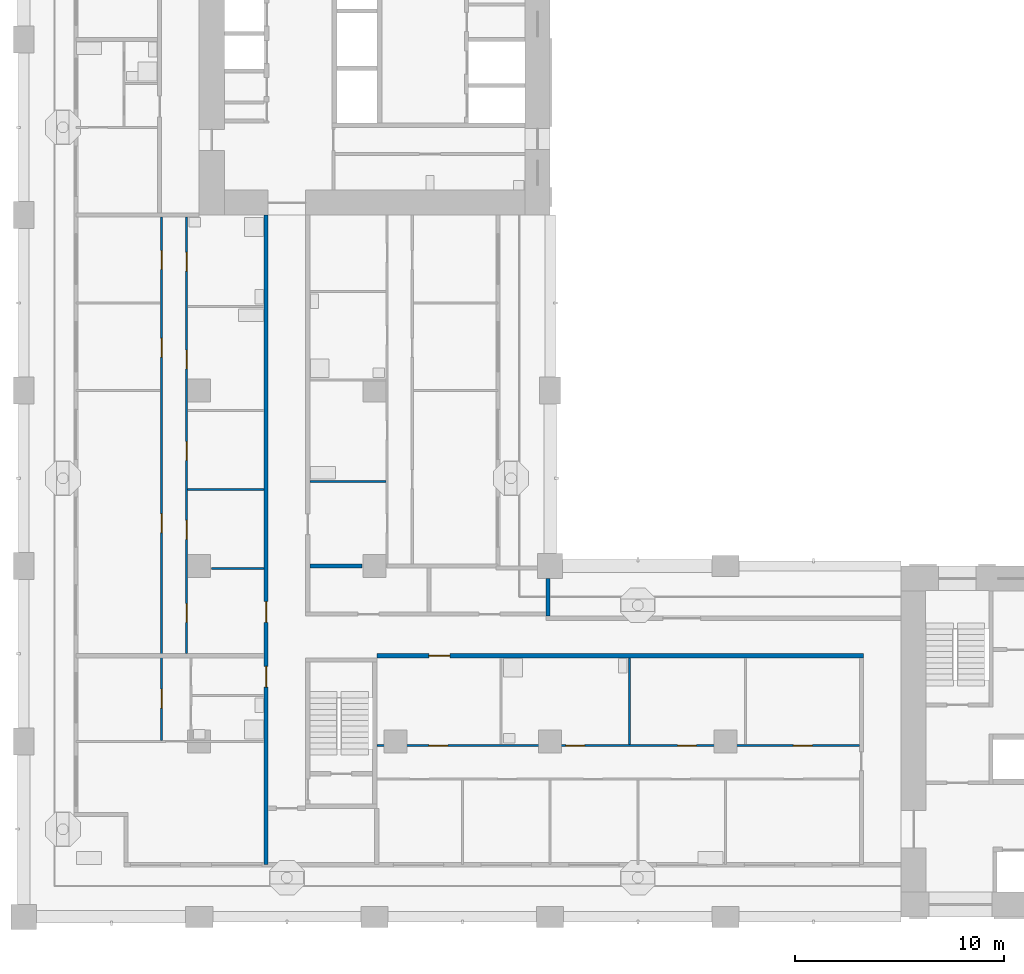
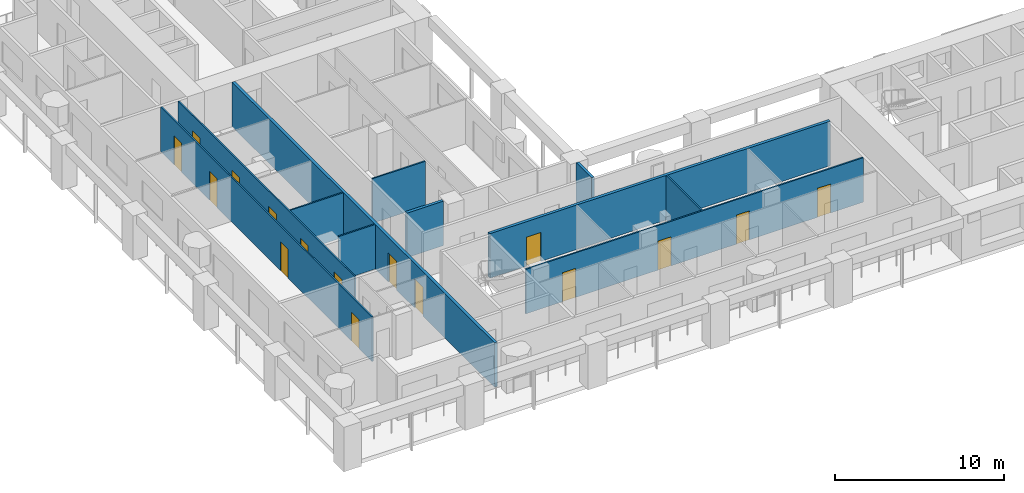
# One storey, part 3 of 18: 16 doors, 11 walls, 16 openings.
"""IFC4 building model written with IfcOpenShell, lengths in metres."""

from ifc_helpers import new_model, si_unit, direction, frame, frame_2d, origin, place, context, subcontext, project, spatial, rectangle, extrude, material, layer, layer_set, type_object, element, fill, save


model = new_model("IFC4")

# Units and contexts
model_context = context("Model", 3, precision=1e-05, world=origin(), true_north=direction((0.0, 1.0)))
body_context = subcontext(model_context, "Body", "Model", "MODEL_VIEW")
ifc_project = project(units=[si_unit("LENGTHUNIT", "METRE"), si_unit("AREAUNIT", "SQUARE_METRE"), si_unit("VOLUMEUNIT", "CUBIC_METRE"), si_unit("PLANEANGLEUNIT", "RADIAN"), si_unit("MASSUNIT", "GRAM", prefix="KILO")], contexts=[model_context])

# Site, building, storey
site_placement = place(None, origin())
site = spatial("IfcSite", under=ifc_project, at=site_placement, CompositionType="ELEMENT")
building_placement = place(site_placement, origin())
building = spatial("IfcBuilding", under=site, at=building_placement, Name="Vermilion Gate Residences", CompositionType="ELEMENT")
storey_placement = place(building_placement, frame((0.0, 0.0, 105.699951171875)))
storey = spatial("IfcBuildingStorey", under=building, at=storey_placement, Name="L26", CompositionType="ELEMENT", Elevation=105.699951171875)

# Wall
ifc_material_1 = material(Name="Insulated steel stud wall with terracotta rainscreen", Category="masonry")
ifc_layer_1 = layer(ifc_material_1, 0.199951171875)
ifc_layer_set_1 = layer_set([ifc_layer_1], Name="EXTERNAL WALL 200 TERRACOTTA RAINSCREEN")
wall_type_1 = type_object("IfcWallType", Name="EXTERNAL WALL 200 TERRACOTTA RAINSCREEN", PredefinedType="SOLIDWALL", material=ifc_layer_set_1)
wall_1_placement = place(storey_placement, frame((25.10009765625, 22.800048828125, 0.0), z_axis=(0.0, 0.0, 1.0), x_axis=(0.0, 1.0, 0.0)))
element("IfcWall", 1, at=wall_1_placement, inside=storey, type_object=wall_type_1, Name="External wall", PredefinedType="SOLIDWALL", context=body_context, shape_type="SweptSolid", body=[
    extrude(rectangle(XDim=1.800048828125, YDim=0.199951171875, at=frame_2d((0.89990234375, 0.0))), origin(), (0.0, 0.0, 1.0), 3.219970703125),
])

# Wall, openings, doors
ifc_material_2 = material(Name="Plasterboard on steel studs", Category="steel")
ifc_layer_2 = layer(ifc_material_2, 0.10009765625)
ifc_layer_set_2 = layer_set([ifc_layer_2], Name="PARTITION 100")
wall_type_2 = type_object("IfcWallType", Name="PARTITION 100", PredefinedType="PARTITIONING", material=ifc_layer_set_2)
wall_2_placement = place(storey_placement, frame((16.89990234375, 16.60009765625, 0.0), z_axis=(0.0, 0.0, 1.0), x_axis=(1.0, 0.0, 0.0)))
wall_2 = element("IfcWall", 2, at=wall_2_placement, inside=storey, type_object=wall_type_2, Name="Partition", PredefinedType="PARTITIONING", context=body_context, shape_type="SweptSolid", body=[
    extrude(rectangle(XDim=23.10009765625, YDim=0.10009765625, at=frame_2d((11.550048828125, 0.0))), origin(), (0.0, 0.0, 1.0), 3.219970703125),
])
opening_1_placement = place(wall_2_placement, frame((2.5, 0.0, 0.0)))
opening_1 = element("IfcOpeningElement", 3, at=opening_1_placement, cuts=wall_2, Name="Opening DA25007", PredefinedType="OPENING", context=body_context, shape_type="SweptSolid", body=[
    extrude(rectangle(XDim=0.89990234375, YDim=2.10009765625, at=frame_2d((0.449951171875, 1.050048828125))), frame((0.0, 0.06005859375, 0.0), z_axis=(0.0, -1.0, 0.0), x_axis=(1.0, 0.0, 0.0)), (0.0, 0.0, 1.0), 0.1201171875),
])
opening_2_placement = place(wall_2_placement, frame((9.050048828125, 0.0, 0.0)))
opening_2 = element("IfcOpeningElement", 4, at=opening_2_placement, cuts=wall_2, Name="Opening DA25008", PredefinedType="OPENING", context=body_context, shape_type="SweptSolid", body=[
    extrude(rectangle(XDim=0.89990234375, YDim=2.10009765625, at=frame_2d((0.449951171875, 1.050048828125))), frame((0.0, 0.06005859375, 0.0), z_axis=(0.0, -1.0, 0.0), x_axis=(1.0, 0.0, 0.0)), (0.0, 0.0, 1.0), 0.1201171875),
])
opening_3_placement = place(wall_2_placement, frame((14.39990234375, 0.0, 0.0)))
opening_3 = element("IfcOpeningElement", 5, at=opening_3_placement, cuts=wall_2, Name="Opening DA25009", PredefinedType="OPENING", context=body_context, shape_type="SweptSolid", body=[
    extrude(rectangle(XDim=0.89990234375, YDim=2.10009765625, at=frame_2d((0.449951171875, 1.050048828125))), frame((0.0, 0.06005859375, 0.0), z_axis=(0.0, -1.0, 0.0), x_axis=(1.0, 0.0, 0.0)), (0.0, 0.0, 1.0), 0.1201171875),
])
opening_4_placement = place(wall_2_placement, frame((19.949951171875, 0.0, 0.0)))
opening_4 = element("IfcOpeningElement", 6, at=opening_4_placement, cuts=wall_2, Name="Opening DA25010", PredefinedType="OPENING", context=body_context, shape_type="SweptSolid", body=[
    extrude(rectangle(XDim=0.89990234375, YDim=2.10009765625, at=frame_2d((0.449951171875, 1.050048828125))), frame((0.0, 0.06005859375, 0.0), z_axis=(0.0, -1.0, 0.0), x_axis=(1.0, 0.0, 0.0)), (0.0, 0.0, 1.0), 0.1201171875),
])
ifc_material_3 = material(Name="Timber", Category="wood")
door_type_1 = type_object("IfcDoorType", Name="INTERIOR DOOR 900 X 2100", OperationType="SINGLE_SWING_LEFT", PredefinedType="DOOR", material=ifc_material_3)
door_1_placement = place(opening_1_placement, origin())
door_1 = element("IfcDoor", 7, at=door_1_placement, inside=storey, type_object=door_type_1, Name="Interior door", OperationType="SINGLE_SWING_LEFT", OverallHeight=2.10009765625, OverallWidth=0.89990234375, PredefinedType="DOOR", context=body_context, shape_type="SweptSolid", body=[
    extrude(rectangle(XDim=0.89990234375, YDim=2.10009765625, at=frame_2d((0.449951171875, 1.050048828125))), frame((0.0, 0.02490234375, 0.0), z_axis=(0.0, -1.0, 0.0), x_axis=(1.0, 0.0, 0.0)), (0.0, 0.0, 1.0), 0.050048828125),
])
fill(opening_1, door_1)
door_2_placement = place(opening_2_placement, origin())
door_2 = element("IfcDoor", 8, at=door_2_placement, inside=storey, type_object=door_type_1, Name="Interior door", OperationType="SINGLE_SWING_LEFT", OverallHeight=2.10009765625, OverallWidth=0.89990234375, PredefinedType="DOOR", context=body_context, shape_type="SweptSolid", body=[
    extrude(rectangle(XDim=0.89990234375, YDim=2.10009765625, at=frame_2d((0.449951171875, 1.050048828125))), frame((0.0, 0.02490234375, 0.0), z_axis=(0.0, -1.0, 0.0), x_axis=(1.0, 0.0, 0.0)), (0.0, 0.0, 1.0), 0.050048828125),
])
fill(opening_2, door_2)
door_3_placement = place(opening_3_placement, origin())
door_3 = element("IfcDoor", 9, at=door_3_placement, inside=storey, type_object=door_type_1, Name="Interior door", OperationType="SINGLE_SWING_RIGHT", OverallHeight=2.10009765625, OverallWidth=0.89990234375, PredefinedType="DOOR", context=body_context, shape_type="SweptSolid", body=[
    extrude(rectangle(XDim=0.89990234375, YDim=2.10009765625, at=frame_2d((0.449951171875, 1.050048828125))), frame((0.0, 0.02490234375, 0.0), z_axis=(0.0, -1.0, 0.0), x_axis=(1.0, 0.0, 0.0)), (0.0, 0.0, 1.0), 0.050048828125),
])
fill(opening_3, door_3)
door_4_placement = place(opening_4_placement, origin())
door_4 = element("IfcDoor", 10, at=door_4_placement, inside=storey, type_object=door_type_1, Name="Interior door", OperationType="SINGLE_SWING_LEFT", OverallHeight=2.10009765625, OverallWidth=0.89990234375, PredefinedType="DOOR", context=body_context, shape_type="SweptSolid", body=[
    extrude(rectangle(XDim=0.89990234375, YDim=2.10009765625, at=frame_2d((0.449951171875, 1.050048828125))), frame((0.0, 0.02490234375, 0.0), z_axis=(0.0, -1.0, 0.0), x_axis=(1.0, 0.0, 0.0)), (0.0, 0.0, 1.0), 0.050048828125),
])
fill(opening_4, door_4)

# Walls
wall_3_placement = place(storey_placement, frame((9.0, 25.080078125, 0.0), z_axis=(0.0, 0.0, 1.0), x_axis=(1.0, 0.0, 0.0)))
element("IfcWall", 11, at=wall_3_placement, inside=storey, type_object=wall_type_2, Name="Partition", PredefinedType="PARTITIONING", context=body_context, shape_type="SweptSolid", body=[
    extrude(rectangle(XDim=2.5, YDim=0.10009765625, at=frame_2d((1.25, 0.0))), origin(), (0.0, 0.0, 1.0), 3.219970703125),
])
wall_4_placement = place(storey_placement, frame((7.85009765625, 28.860107421875, 0.0), z_axis=(0.0, 0.0, 1.0), x_axis=(1.0, 0.0, 0.0)))
element("IfcWall", 12, at=wall_4_placement, inside=storey, type_object=wall_type_2, Name="Partition", PredefinedType="PARTITIONING", context=body_context, shape_type="SweptSolid", body=[
    extrude(rectangle(XDim=3.64990234375, YDim=0.10009765625, at=frame_2d((1.824951171875, 0.0))), origin(), (0.0, 0.0, 1.0), 3.219970703125),
])
wall_5_placement = place(storey_placement, frame((13.699951171875, 29.25, 0.0), z_axis=(0.0, 0.0, 1.0), x_axis=(1.0, 0.0, 0.0)))
element("IfcWall", 13, at=wall_5_placement, inside=storey, type_object=wall_type_2, Name="Partition", PredefinedType="PARTITIONING", context=body_context, shape_type="SweptSolid", body=[
    extrude(rectangle(XDim=3.650146484375, YDim=0.10009765625, at=frame_2d((1.8251953125, 0.0))), origin(), (0.0, 0.0, 1.0), 3.219970703125),
])

# Wall, openings, doors
wall_6_placement = place(storey_placement, frame((6.60009765625, 16.85009765625, 0.0), z_axis=(0.0, 0.0, 1.0), x_axis=(0.0, 1.0, 0.0)))
wall_6 = element("IfcWall", 14, at=wall_6_placement, inside=storey, type_object=wall_type_2, Name="Partition", PredefinedType="PARTITIONING", context=body_context, shape_type="SweptSolid", body=[
    extrude(rectangle(XDim=25.0498046875, YDim=0.10009765625, at=frame_2d((12.52490234375, 0.0))), origin(), (0.0, 0.0, 1.0), 3.219970703125),
])
opening_5_placement = place(wall_6_placement, frame((1.550048828125, 0.0, 0.0)))
opening_5 = element("IfcOpeningElement", 15, at=opening_5_placement, cuts=wall_6, Name="Opening DA25020", PredefinedType="OPENING", context=body_context, shape_type="SweptSolid", body=[
    extrude(rectangle(XDim=0.89990234375, YDim=2.10009765625, at=frame_2d((0.449951171875, 1.050048828125))), frame((0.0, 0.06005859375, 0.0), z_axis=(0.0, -1.0, 0.0), x_axis=(1.0, 0.0, 0.0)), (0.0, 0.0, 1.0), 0.1201171875),
])
opening_6_placement = place(wall_6_placement, frame((9.949951171875, 0.0, 0.0)))
opening_6 = element("IfcOpeningElement", 16, at=opening_6_placement, cuts=wall_6, Name="Opening DA25021", PredefinedType="OPENING", context=body_context, shape_type="SweptSolid", body=[
    extrude(rectangle(XDim=0.89990234375, YDim=2.10009765625, at=frame_2d((0.449951171875, 1.050048828125))), frame((0.0, 0.06005859375, 0.0), z_axis=(0.0, -1.0, 0.0), x_axis=(1.0, 0.0, 0.0)), (0.0, 0.0, 1.0), 0.1201171875),
])
opening_7_placement = place(wall_6_placement, frame((18.35009765625, 0.0, 0.0)))
opening_7 = element("IfcOpeningElement", 17, at=opening_7_placement, cuts=wall_6, Name="Opening DA25022", PredefinedType="OPENING", context=body_context, shape_type="SweptSolid", body=[
    extrude(rectangle(XDim=0.89990234375, YDim=2.10009765625, at=frame_2d((0.449951171875, 1.050048828125))), frame((0.0, 0.06005859375, 0.0), z_axis=(0.0, -1.0, 0.0), x_axis=(1.0, 0.0, 0.0)), (0.0, 0.0, 1.0), 0.1201171875),
])
opening_8_placement = place(wall_6_placement, frame((22.550048828125, 0.0, 0.0)))
opening_8 = element("IfcOpeningElement", 18, at=opening_8_placement, cuts=wall_6, Name="Opening DA25023", PredefinedType="OPENING", context=body_context, shape_type="SweptSolid", body=[
    extrude(rectangle(XDim=0.89990234375, YDim=2.10009765625, at=frame_2d((0.449951171875, 1.050048828125))), frame((0.0, 0.06005859375, 0.0), z_axis=(0.0, -1.0, 0.0), x_axis=(1.0, 0.0, 0.0)), (0.0, 0.0, 1.0), 0.1201171875),
])
door_5_placement = place(opening_5_placement, origin())
door_5 = element("IfcDoor", 19, at=door_5_placement, inside=storey, type_object=door_type_1, Name="Interior door", OperationType="SINGLE_SWING_RIGHT", OverallHeight=2.10009765625, OverallWidth=0.89990234375, PredefinedType="DOOR", context=body_context, shape_type="SweptSolid", body=[
    extrude(rectangle(XDim=0.89990234375, YDim=2.10009765625, at=frame_2d((0.449951171875, 1.050048828125))), frame((0.0, 0.02490234375, 0.0), z_axis=(0.0, -1.0, 0.0), x_axis=(1.0, 0.0, 0.0)), (0.0, 0.0, 1.0), 0.050048828125),
])
fill(opening_5, door_5)
door_6_placement = place(opening_6_placement, origin())
door_6 = element("IfcDoor", 20, at=door_6_placement, inside=storey, type_object=door_type_1, Name="Interior door", OperationType="SINGLE_SWING_LEFT", OverallHeight=2.10009765625, OverallWidth=0.89990234375, PredefinedType="DOOR", context=body_context, shape_type="SweptSolid", body=[
    extrude(rectangle(XDim=0.89990234375, YDim=2.10009765625, at=frame_2d((0.449951171875, 1.050048828125))), frame((0.0, 0.02490234375, 0.0), z_axis=(0.0, -1.0, 0.0), x_axis=(1.0, 0.0, 0.0)), (0.0, 0.0, 1.0), 0.050048828125),
])
fill(opening_6, door_6)
door_7_placement = place(opening_7_placement, origin())
door_7 = element("IfcDoor", 21, at=door_7_placement, inside=storey, type_object=door_type_1, Name="Interior door", OperationType="SINGLE_SWING_LEFT", OverallHeight=2.10009765625, OverallWidth=0.89990234375, PredefinedType="DOOR", context=body_context, shape_type="SweptSolid", body=[
    extrude(rectangle(XDim=0.89990234375, YDim=2.10009765625, at=frame_2d((0.449951171875, 1.050048828125))), frame((0.0, 0.02490234375, 0.0), z_axis=(0.0, -1.0, 0.0), x_axis=(1.0, 0.0, 0.0)), (0.0, 0.0, 1.0), 0.050048828125),
])
fill(opening_7, door_7)
door_8_placement = place(opening_8_placement, origin())
door_8 = element("IfcDoor", 22, at=door_8_placement, inside=storey, type_object=door_type_1, Name="Interior door", OperationType="SINGLE_SWING_LEFT", OverallHeight=2.10009765625, OverallWidth=0.89990234375, PredefinedType="DOOR", context=body_context, shape_type="SweptSolid", body=[
    extrude(rectangle(XDim=0.89990234375, YDim=2.10009765625, at=frame_2d((0.449951171875, 1.050048828125))), frame((0.0, 0.02490234375, 0.0), z_axis=(0.0, -1.0, 0.0), x_axis=(1.0, 0.0, 0.0)), (0.0, 0.0, 1.0), 0.050048828125),
])
fill(opening_8, door_8)

wall_7_placement = place(storey_placement, frame((7.800048828125, 21.0, 0.0), z_axis=(0.0, 0.0, 1.0), x_axis=(0.0, 1.0, 0.0)))
wall_7 = element("IfcWall", 23, at=wall_7_placement, inside=storey, type_object=wall_type_2, Name="Partition", PredefinedType="PARTITIONING", context=body_context, shape_type="SweptSolid", body=[
    extrude(rectangle(XDim=20.89990234375, YDim=0.10009765625, at=frame_2d((10.449951171875, 0.0))), origin(), (0.0, 0.0, 1.0), 3.219970703125),
])
opening_9_placement = place(wall_7_placement, frame((1.5, 0.0, 0.0)))
opening_9 = element("IfcOpeningElement", 24, at=opening_9_placement, cuts=wall_7, Name="Opening DA25024", PredefinedType="OPENING", context=body_context, shape_type="SweptSolid", body=[
    extrude(rectangle(XDim=0.89990234375, YDim=2.10009765625, at=frame_2d((0.449951171875, 1.050048828125))), frame((0.0, 0.06005859375, 0.0), z_axis=(0.0, -1.0, 0.0), x_axis=(1.0, 0.0, 0.0)), (0.0, 0.0, 1.0), 0.1201171875),
])
opening_10_placement = place(wall_7_placement, frame((5.47998046875, 0.0, 0.0)))
opening_10 = element("IfcOpeningElement", 25, at=opening_10_placement, cuts=wall_7, Name="Opening DA25025", PredefinedType="OPENING", context=body_context, shape_type="SweptSolid", body=[
    extrude(rectangle(XDim=0.89990234375, YDim=2.10009765625, at=frame_2d((0.449951171875, 1.050048828125))), frame((0.0, 0.06005859375, 0.0), z_axis=(0.0, -1.0, 0.0), x_axis=(1.0, 0.0, 0.0)), (0.0, 0.0, 1.0), 0.1201171875),
])
opening_11_placement = place(wall_7_placement, frame((9.260009765625, 0.0, 0.0)))
opening_11 = element("IfcOpeningElement", 26, at=opening_11_placement, cuts=wall_7, Name="Opening DA25026", PredefinedType="OPENING", context=body_context, shape_type="SweptSolid", body=[
    extrude(rectangle(XDim=0.89990234375, YDim=2.10009765625, at=frame_2d((0.449951171875, 1.050048828125))), frame((0.0, 0.06005859375, 0.0), z_axis=(0.0, -1.0, 0.0), x_axis=(1.0, 0.0, 0.0)), (0.0, 0.0, 1.0), 0.1201171875),
])
opening_12_placement = place(wall_7_placement, frame((13.639892578125, 0.0, 0.0)))
opening_12 = element("IfcOpeningElement", 27, at=opening_12_placement, cuts=wall_7, Name="Opening DA25027", PredefinedType="OPENING", context=body_context, shape_type="SweptSolid", body=[
    extrude(rectangle(XDim=0.89990234375, YDim=2.10009765625, at=frame_2d((0.449951171875, 1.050048828125))), frame((0.0, 0.06005859375, 0.0), z_axis=(0.0, -1.0, 0.0), x_axis=(1.0, 0.0, 0.0)), (0.0, 0.0, 1.0), 0.1201171875),
])
opening_13_placement = place(wall_7_placement, frame((18.320068359375, 0.0, 0.0)))
opening_13 = element("IfcOpeningElement", 28, at=opening_13_placement, cuts=wall_7, Name="Opening DA25028", PredefinedType="OPENING", context=body_context, shape_type="SweptSolid", body=[
    extrude(rectangle(XDim=0.89990234375, YDim=2.10009765625, at=frame_2d((0.449951171875, 1.050048828125))), frame((0.0, 0.06005859375, 0.0), z_axis=(0.0, -1.0, 0.0), x_axis=(1.0, 0.0, 0.0)), (0.0, 0.0, 1.0), 0.1201171875),
])
door_9_placement = place(opening_9_placement, frame((0.89990234375, 0.0, 0.0), z_axis=(0.0, 0.0, 1.0), x_axis=(-1.0, 0.0, 0.0)))
door_9 = element("IfcDoor", 29, at=door_9_placement, inside=storey, type_object=door_type_1, Name="Interior door", OperationType="SINGLE_SWING_LEFT", OverallHeight=2.10009765625, OverallWidth=0.89990234375, PredefinedType="DOOR", context=body_context, shape_type="SweptSolid", body=[
    extrude(rectangle(XDim=0.89990234375, YDim=2.10009765625, at=frame_2d((0.449951171875, 1.050048828125))), frame((0.0, 0.02490234375, 0.0), z_axis=(0.0, -1.0, 0.0), x_axis=(1.0, 0.0, 0.0)), (0.0, 0.0, 1.0), 0.050048828125),
])
fill(opening_9, door_9)
door_10_placement = place(opening_10_placement, frame((0.89990234375, 0.0, 0.0), z_axis=(0.0, 0.0, 1.0), x_axis=(-1.0, 0.0, 0.0)))
door_10 = element("IfcDoor", 30, at=door_10_placement, inside=storey, type_object=door_type_1, Name="Interior door", OperationType="SINGLE_SWING_RIGHT", OverallHeight=2.10009765625, OverallWidth=0.89990234375, PredefinedType="DOOR", context=body_context, shape_type="SweptSolid", body=[
    extrude(rectangle(XDim=0.89990234375, YDim=2.10009765625, at=frame_2d((0.449951171875, 1.050048828125))), frame((0.0, 0.02490234375, 0.0), z_axis=(0.0, -1.0, 0.0), x_axis=(1.0, 0.0, 0.0)), (0.0, 0.0, 1.0), 0.050048828125),
])
fill(opening_10, door_10)
door_11_placement = place(opening_11_placement, frame((0.89990234375, 0.0, 0.0), z_axis=(0.0, 0.0, 1.0), x_axis=(-1.0, 0.0, 0.0)))
door_11 = element("IfcDoor", 31, at=door_11_placement, inside=storey, type_object=door_type_1, Name="Interior door", OperationType="SINGLE_SWING_RIGHT", OverallHeight=2.10009765625, OverallWidth=0.89990234375, PredefinedType="DOOR", context=body_context, shape_type="SweptSolid", body=[
    extrude(rectangle(XDim=0.89990234375, YDim=2.10009765625, at=frame_2d((0.449951171875, 1.050048828125))), frame((0.0, 0.02490234375, 0.0), z_axis=(0.0, -1.0, 0.0), x_axis=(1.0, 0.0, 0.0)), (0.0, 0.0, 1.0), 0.050048828125),
])
fill(opening_11, door_11)
door_12_placement = place(opening_12_placement, frame((0.89990234375, 0.0, 0.0), z_axis=(0.0, 0.0, 1.0), x_axis=(-1.0, 0.0, 0.0)))
door_12 = element("IfcDoor", 32, at=door_12_placement, inside=storey, type_object=door_type_1, Name="Interior door", OperationType="SINGLE_SWING_RIGHT", OverallHeight=2.10009765625, OverallWidth=0.89990234375, PredefinedType="DOOR", context=body_context, shape_type="SweptSolid", body=[
    extrude(rectangle(XDim=0.89990234375, YDim=2.10009765625, at=frame_2d((0.449951171875, 1.050048828125))), frame((0.0, 0.02490234375, 0.0), z_axis=(0.0, -1.0, 0.0), x_axis=(1.0, 0.0, 0.0)), (0.0, 0.0, 1.0), 0.050048828125),
])
fill(opening_12, door_12)
door_13_placement = place(opening_13_placement, frame((0.89990234375, 0.0, 0.0), z_axis=(0.0, 0.0, 1.0), x_axis=(-1.0, 0.0, 0.0)))
door_13 = element("IfcDoor", 33, at=door_13_placement, inside=storey, type_object=door_type_1, Name="Interior door", OperationType="SINGLE_SWING_LEFT", OverallHeight=2.10009765625, OverallWidth=0.89990234375, PredefinedType="DOOR", context=body_context, shape_type="SweptSolid", body=[
    extrude(rectangle(XDim=0.89990234375, YDim=2.10009765625, at=frame_2d((0.449951171875, 1.050048828125))), frame((0.0, 0.02490234375, 0.0), z_axis=(0.0, -1.0, 0.0), x_axis=(1.0, 0.0, 0.0)), (0.0, 0.0, 1.0), 0.050048828125),
])
fill(opening_13, door_13)

# Wall
wall_8_placement = place(storey_placement, frame((29.0, 16.64990234375, 0.0), z_axis=(0.0, 0.0, 1.0), x_axis=(0.0, 1.0, 0.0)))
element("IfcWall", 34, at=wall_8_placement, inside=storey, type_object=wall_type_2, Name="Partition", PredefinedType="PARTITIONING", context=body_context, shape_type="SweptSolid", body=[
    extrude(rectangle(XDim=4.150146484375, YDim=0.10009765625, at=frame_2d((2.0751953125, 0.0))), origin(), (0.0, 0.0, 1.0), 3.219970703125),
])

# Wall, opening, door
ifc_material_4 = material(Name="Fire-rated plasterboard on steel studs", Category="steel")
ifc_layer_3 = layer(ifc_material_4, 0.199951171875)
ifc_layer_set_3 = layer_set([ifc_layer_3], Name="PARTY WALL 200 EI 120")
wall_type_3 = type_object("IfcWallType", Name="PARTY WALL 200 EI 120", PredefinedType="PARTITIONING", material=ifc_layer_set_3)
wall_9_placement = place(storey_placement, frame((16.89990234375, 20.89990234375, 0.0), z_axis=(0.0, 0.0, 1.0), x_axis=(1.0, 0.0, 0.0)))
wall_9 = element("IfcWall", 35, at=wall_9_placement, inside=storey, type_object=wall_type_3, Name="Party and corridor wall", PredefinedType="PARTITIONING", context=body_context, shape_type="SweptSolid", body=[
    extrude(rectangle(XDim=23.300048828125, YDim=0.199951171875, at=frame_2d((11.64990234375, 0.0))), origin(), (0.0, 0.0, 1.0), 3.219970703125),
])
opening_14_placement = place(wall_9_placement, frame((2.5, 0.0, 0.0)))
opening_14 = element("IfcOpeningElement", 36, at=opening_14_placement, cuts=wall_9, Name="Opening DA25012", PredefinedType="OPENING", context=body_context, shape_type="SweptSolid", body=[
    extrude(rectangle(XDim=1.0, YDim=2.10009765625, at=frame_2d((0.5, 1.050048828125))), frame((0.0, 0.10986328125, 0.0), z_axis=(0.0, -1.0, 0.0), x_axis=(1.0, 0.0, 0.0)), (0.0, 0.0, 1.0), 0.219970703125),
])
ifc_material_5 = material(Name="Steel", Category="steel")
door_type_2 = type_object("IfcDoorType", Name="ENTRANCE DOOR 1000 X 2100 FD30", OperationType="SINGLE_SWING_LEFT", PredefinedType="DOOR", material=ifc_material_5)
door_14_placement = place(opening_14_placement, frame((1.0, 0.0, 0.0), z_axis=(0.0, 0.0, 1.0), x_axis=(-1.0, 0.0, 0.0)))
door_14 = element("IfcDoor", 37, at=door_14_placement, inside=storey, type_object=door_type_2, Name="Entrance door", OperationType="SINGLE_SWING_LEFT", OverallHeight=2.10009765625, OverallWidth=1.0, PredefinedType="DOOR", context=body_context, shape_type="SweptSolid", body=[
    extrude(rectangle(XDim=1.0, YDim=2.10009765625, at=frame_2d((0.5, 1.050048828125))), frame((0.0, 0.02490234375, 0.0), z_axis=(0.0, -1.0, 0.0), x_axis=(1.0, 0.0, 0.0)), (0.0, 0.0, 1.0), 0.050048828125),
])
fill(opening_14, door_14)

# Wall
wall_10_placement = place(storey_placement, frame((13.699951171875, 25.199951171875, 0.0), z_axis=(0.0, 0.0, 1.0), x_axis=(1.0, 0.0, 0.0)))
element("IfcWall", 38, at=wall_10_placement, inside=storey, type_object=wall_type_3, Name="Party and corridor wall", PredefinedType="PARTITIONING", context=body_context, shape_type="SweptSolid", body=[
    extrude(rectangle(XDim=2.5, YDim=0.199951171875, at=frame_2d((1.25, 0.0))), origin(), (0.0, 0.0, 1.0), 3.219970703125),
])

# Wall, openings, doors
wall_11_placement = place(storey_placement, frame((11.60009765625, 10.89990234375, 0.0), z_axis=(0.0, 0.0, 1.0), x_axis=(0.0, 1.0, 0.0)))
wall_11 = element("IfcWall", 39, at=wall_11_placement, inside=storey, type_object=wall_type_3, Name="Party and corridor wall", PredefinedType="PARTITIONING", context=body_context, shape_type="SweptSolid", body=[
    extrude(rectangle(XDim=31.10009765625, YDim=0.199951171875, at=frame_2d((15.550048828125, 0.0))), origin(), (0.0, 0.0, 1.0), 3.219970703125),
])
opening_15_placement = place(wall_11_placement, frame((8.5, 0.0, 0.0)))
opening_15 = element("IfcOpeningElement", 40, at=opening_15_placement, cuts=wall_11, Name="Opening DA25031", PredefinedType="OPENING", context=body_context, shape_type="SweptSolid", body=[
    extrude(rectangle(XDim=1.0, YDim=2.10009765625, at=frame_2d((0.5, 1.050048828125))), frame((0.0, 0.10986328125, 0.0), z_axis=(0.0, -1.0, 0.0), x_axis=(1.0, 0.0, 0.0)), (0.0, 0.0, 1.0), 0.219970703125),
])
opening_16_placement = place(wall_11_placement, frame((11.60009765625, 0.0, 0.0)))
opening_16 = element("IfcOpeningElement", 41, at=opening_16_placement, cuts=wall_11, Name="Opening DA25032", PredefinedType="OPENING", context=body_context, shape_type="SweptSolid", body=[
    extrude(rectangle(XDim=1.0, YDim=2.10009765625, at=frame_2d((0.5, 1.050048828125))), frame((0.0, 0.10986328125, 0.0), z_axis=(0.0, -1.0, 0.0), x_axis=(1.0, 0.0, 0.0)), (0.0, 0.0, 1.0), 0.219970703125),
])
door_15_placement = place(opening_15_placement, origin())
door_15 = element("IfcDoor", 42, at=door_15_placement, inside=storey, type_object=door_type_2, Name="Entrance door", OperationType="SINGLE_SWING_LEFT", OverallHeight=2.10009765625, OverallWidth=1.0, PredefinedType="DOOR", context=body_context, shape_type="SweptSolid", body=[
    extrude(rectangle(XDim=1.0, YDim=2.10009765625, at=frame_2d((0.5, 1.050048828125))), frame((0.0, 0.02490234375, 0.0), z_axis=(0.0, -1.0, 0.0), x_axis=(1.0, 0.0, 0.0)), (0.0, 0.0, 1.0), 0.050048828125),
])
fill(opening_15, door_15)
door_16_placement = place(opening_16_placement, origin())
door_16 = element("IfcDoor", 43, at=door_16_placement, inside=storey, type_object=door_type_2, Name="Entrance door", OperationType="SINGLE_SWING_LEFT", OverallHeight=2.10009765625, OverallWidth=1.0, PredefinedType="DOOR", context=body_context, shape_type="SweptSolid", body=[
    extrude(rectangle(XDim=1.0, YDim=2.10009765625, at=frame_2d((0.5, 1.050048828125))), frame((0.0, 0.02490234375, 0.0), z_axis=(0.0, -1.0, 0.0), x_axis=(1.0, 0.0, 0.0)), (0.0, 0.0, 1.0), 0.050048828125),
])
fill(opening_16, door_16)

save(model, "model.ifc")
